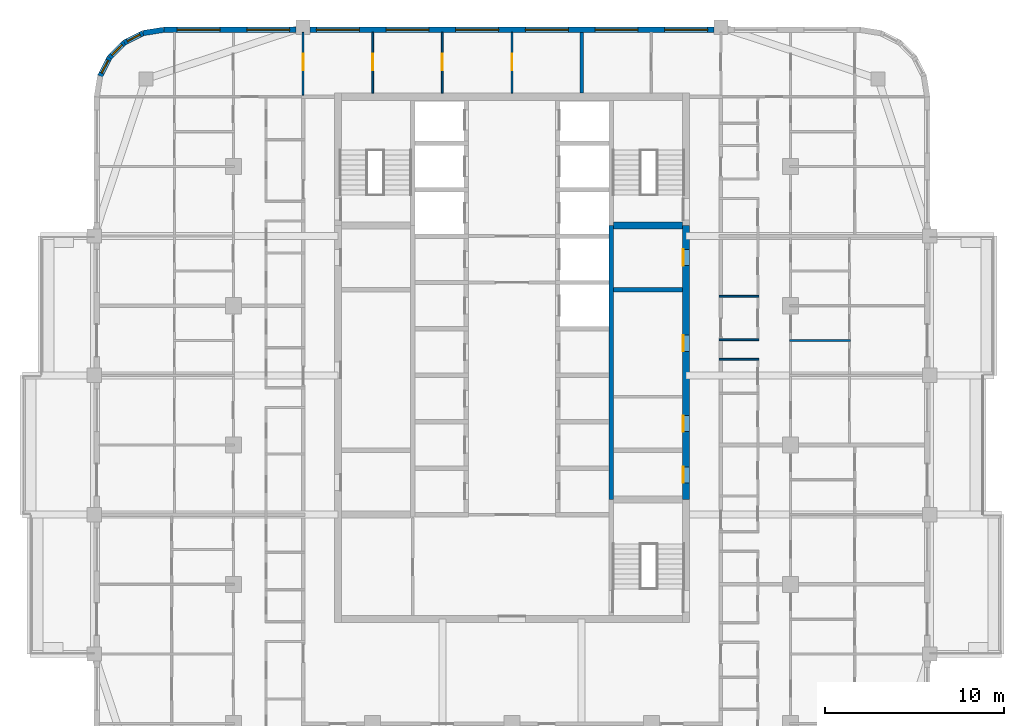
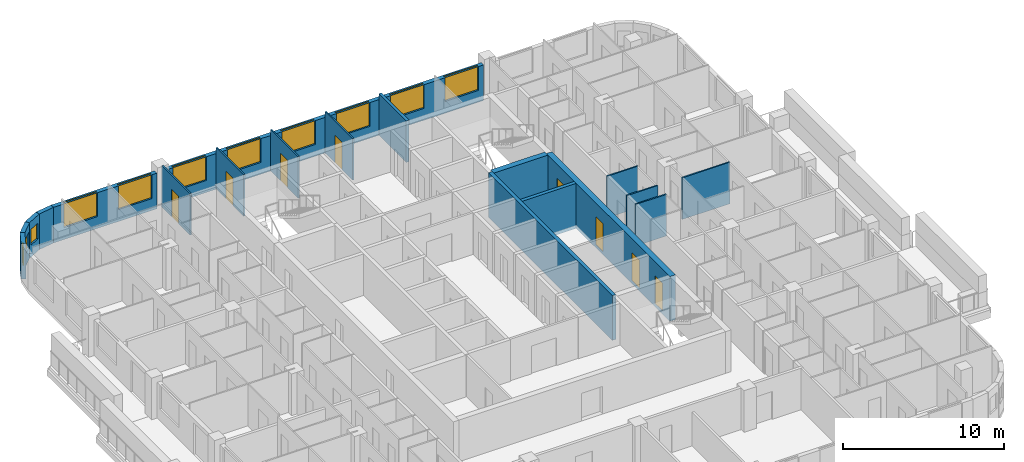
# One storey, part 10 of 16: 19 walls, 11 windows, 8 doors, 19 openings.
"""IFC4 building model written with IfcOpenShell, lengths in metres."""

from ifc_helpers import new_model, si_unit, direction, frame, frame_2d, origin, place, context, subcontext, project, spatial, rectangle, extrude, material, layer, layer_set, type_object, element, fill, save


model = new_model("IFC4")

# Units and contexts
model_context = context("Model", 3, precision=1e-05, world=origin(), true_north=direction((0.0, 1.0)))
body_context = subcontext(model_context, "Body", "Model", "MODEL_VIEW")
ifc_project = project(units=[si_unit("LENGTHUNIT", "METRE"), si_unit("AREAUNIT", "SQUARE_METRE"), si_unit("VOLUMEUNIT", "CUBIC_METRE"), si_unit("PLANEANGLEUNIT", "RADIAN"), si_unit("MASSUNIT", "GRAM", prefix="KILO")], contexts=[model_context])

# Site, building, storey
site_placement = place(None, origin())
site = spatial("IfcSite", under=ifc_project, at=site_placement, CompositionType="ELEMENT")
building_placement = place(site_placement, origin())
building = spatial("IfcBuilding", under=site, at=building_placement, Name="Ludao Terraces", CompositionType="ELEMENT")
storey_placement = place(building_placement, frame((0.0, 0.0, 214.300048828125)))
storey = spatial("IfcBuildingStorey", under=building, at=storey_placement, Name="L58", CompositionType="ELEMENT", Elevation=214.300048828125)

# Wall, openings, doors
ifc_material_1 = material(Name="Concrete C50", Category="concrete")
ifc_layer_1 = layer(ifc_material_1, 0.39990234375)
ifc_layer_set_1 = layer_set([ifc_layer_1], Name="Core wall 400 C50")
wall_type_1 = type_object("IfcWallType", Name="Core wall 400 C50", PredefinedType="SOLIDWALL", material=ifc_layer_set_1)
wall_1_placement = place(storey_placement, frame((94.75, 61.949951171875, -0.25), z_axis=(0.0, 0.0, 1.0), x_axis=(0.0, 1.0, 0.0)))
wall_1 = element("IfcWall", 1, at=wall_1_placement, inside=storey, type_object=wall_type_1, Name="Core wall L58 outer-E", PredefinedType="SOLIDWALL", context=body_context, shape_type="SweptSolid", body=[
    extrude(rectangle(XDim=15.35009765625, YDim=0.39990234375, at=frame_2d((7.675048828125, 0.0))), origin(), (0.0, 0.0, 1.0), 3.39990234375),
])
opening_1_placement = place(wall_1_placement, frame((0.925048828125, 0.0, 0.25)))
opening_1 = element("IfcOpeningElement", 2, at=opening_1_placement, cuts=wall_1, Name="Opening R21-059", PredefinedType="OPENING", context=body_context, shape_type="SweptSolid", body=[
    extrude(rectangle(XDim=0.89990234375, YDim=2.10009765625, at=frame_2d((0.449951171875, 1.050048828125))), frame((0.0, 0.2099609375, 0.0), z_axis=(0.0, -1.0, 0.0), x_axis=(1.0, 0.0, 0.0)), (0.0, 0.0, 1.0), 0.419921875),
])
opening_2_placement = place(wall_1_placement, frame((3.800048828125, 0.0, 0.25)))
opening_2 = element("IfcOpeningElement", 3, at=opening_2_placement, cuts=wall_1, Name="Opening R21-066", PredefinedType="OPENING", context=body_context, shape_type="SweptSolid", body=[
    extrude(rectangle(XDim=0.89990234375, YDim=2.10009765625, at=frame_2d((0.449951171875, 1.050048828125))), frame((0.0, 0.2099609375, 0.0), z_axis=(0.0, -1.0, 0.0), x_axis=(1.0, 0.0, 0.0)), (0.0, 0.0, 1.0), 0.419921875),
])
opening_3_placement = place(wall_1_placement, frame((8.300048828125, 0.0, 0.25)))
opening_3 = element("IfcOpeningElement", 4, at=opening_3_placement, cuts=wall_1, Name="Opening R21-082", PredefinedType="OPENING", context=body_context, shape_type="SweptSolid", body=[
    extrude(rectangle(XDim=0.89990234375, YDim=2.10009765625, at=frame_2d((0.449951171875, 1.050048828125))), frame((0.0, 0.2099609375, 0.0), z_axis=(0.0, -1.0, 0.0), x_axis=(1.0, 0.0, 0.0)), (0.0, 0.0, 1.0), 0.419921875),
])
opening_4_placement = place(wall_1_placement, frame((13.10009765625, 0.0, 0.25)))
opening_4 = element("IfcOpeningElement", 5, at=opening_4_placement, cuts=wall_1, Name="Opening R21-100", PredefinedType="OPENING", context=body_context, shape_type="SweptSolid", body=[
    extrude(rectangle(XDim=0.89990234375, YDim=2.10009765625, at=frame_2d((0.449951171875, 1.050048828125))), frame((0.0, 0.2099609375, 0.0), z_axis=(0.0, -1.0, 0.0), x_axis=(1.0, 0.0, 0.0)), (0.0, 0.0, 1.0), 0.419921875),
])
ifc_material_2 = material(Name="Steel Q235", Category="steel")
door_type_1 = type_object("IfcDoorType", Name="INT Riser door 900", OperationType="SINGLE_SWING_LEFT", PredefinedType="DOOR", material=ifc_material_2)
door_1_placement = place(opening_1_placement, origin())
door_1 = element("IfcDoor", 6, at=door_1_placement, inside=storey, type_object=door_type_1, Name="DOOR 059", OperationType="SINGLE_SWING_LEFT", OverallHeight=2.10009765625, OverallWidth=0.89990234375, PredefinedType="DOOR", context=body_context, shape_type="SweptSolid", body=[
    extrude(rectangle(XDim=0.89990234375, YDim=2.10009765625, at=frame_2d((0.449951171875, 1.050048828125))), frame((0.0, 0.18505859375, 0.0), z_axis=(0.0, -1.0, 0.0), x_axis=(1.0, 0.0, 0.0)), (0.0, 0.0, 1.0), 0.050048828125),
])
fill(opening_1, door_1)
door_2_placement = place(opening_4_placement, origin())
door_2 = element("IfcDoor", 7, at=door_2_placement, inside=storey, type_object=door_type_1, Name="DOOR 100", OperationType="SINGLE_SWING_RIGHT", OverallHeight=2.10009765625, OverallWidth=0.89990234375, PredefinedType="DOOR", context=body_context, shape_type="SweptSolid", body=[
    extrude(rectangle(XDim=0.89990234375, YDim=2.10009765625, at=frame_2d((0.449951171875, 1.050048828125))), frame((0.0, 0.18505859375, 0.0), z_axis=(0.0, -1.0, 0.0), x_axis=(1.0, 0.0, 0.0)), (0.0, 0.0, 1.0), 0.050048828125),
])
fill(opening_4, door_2)
ifc_material_3 = material(Name="Timber door leaf", Category="wood")
door_type_2 = type_object("IfcDoorType", Name="INT Room door 900", OperationType="SINGLE_SWING_LEFT", PredefinedType="DOOR", material=ifc_material_3)
door_3_placement = place(opening_2_placement, origin())
door_3 = element("IfcDoor", 8, at=door_3_placement, inside=storey, type_object=door_type_2, Name="DOOR 066", OperationType="SINGLE_SWING_LEFT", OverallHeight=2.10009765625, OverallWidth=0.89990234375, PredefinedType="DOOR", context=body_context, shape_type="SweptSolid", body=[
    extrude(rectangle(XDim=0.89990234375, YDim=2.10009765625, at=frame_2d((0.449951171875, 1.050048828125))), frame((0.0, 0.18505859375, 0.0), z_axis=(0.0, -1.0, 0.0), x_axis=(1.0, 0.0, 0.0)), (0.0, 0.0, 1.0), 0.050048828125),
])
fill(opening_2, door_3)
door_4_placement = place(opening_3_placement, origin())
door_4 = element("IfcDoor", 9, at=door_4_placement, inside=storey, type_object=door_type_2, Name="DOOR 082", OperationType="SINGLE_SWING_RIGHT", OverallHeight=2.10009765625, OverallWidth=0.89990234375, PredefinedType="DOOR", context=body_context, shape_type="SweptSolid", body=[
    extrude(rectangle(XDim=0.89990234375, YDim=2.10009765625, at=frame_2d((0.449951171875, 1.050048828125))), frame((0.0, 0.18505859375, 0.0), z_axis=(0.0, -1.0, 0.0), x_axis=(1.0, 0.0, 0.0)), (0.0, 0.0, 1.0), 0.050048828125),
])
fill(opening_3, door_4)

# Wall, openings, windows
ifc_material_4 = material(Name="Granite cladding", Category="masonry")
ifc_layer_2 = layer(ifc_material_4, 0.0400390625, Category="stone")
ifc_material_5 = material(Name="Mineral wool")
ifc_layer_3 = layer(ifc_material_5, 0.06005859375)
ifc_material_6 = material(Name="Concrete C40", Category="concrete")
ifc_layer_4 = layer(ifc_material_6, 0.199951171875, Category="concrete")
ifc_layer_set_2 = layer_set([ifc_layer_2, ifc_layer_3, ifc_layer_4], Name="ENV Stone-clad wall 300")
wall_type_2 = type_object("IfcWallType", Name="ENV Stone-clad wall 300", PredefinedType="SOLIDWALL", material=ifc_layer_set_2)
wall_2_placement = place(storey_placement, frame((65.5, 88.25, 0.0), z_axis=(0.0, 0.0, 1.0), x_axis=(1.0, 0.0, 0.0)))
wall_2 = element("IfcWall", 10, at=wall_2_placement, inside=storey, type_object=wall_type_2, Name="EW-L58-N1", PredefinedType="SOLIDWALL", context=body_context, shape_type="SweptSolid", body=[
    extrude(rectangle(XDim=7.39990234375, YDim=0.300048828125, at=frame_2d((3.699951171875, 0.0))), origin(), (0.0, 0.0, 1.0), 2.699951171875),
])
opening_5_placement = place(wall_2_placement, frame((0.75, 0.0, 0.89990234375)))
opening_5 = element("IfcOpeningElement", 11, at=opening_5_placement, cuts=wall_2, Name="Opening W1", PredefinedType="OPENING", context=body_context, shape_type="SweptSolid", body=[
    extrude(rectangle(XDim=2.39990234375, YDim=1.800048828125, at=frame_2d((1.199951171875, 0.89990234375))), frame((0.0, 0.16015625, 0.0), z_axis=(0.0, -1.0, 0.0), x_axis=(1.0, 0.0, 0.0)), (0.0, 0.0, 1.0), 0.320068359375),
])
opening_6_placement = place(wall_2_placement, frame((4.64990234375, 0.0, 0.89990234375)))
opening_6 = element("IfcOpeningElement", 12, at=opening_6_placement, cuts=wall_2, Name="Opening W1", PredefinedType="OPENING", context=body_context, shape_type="SweptSolid", body=[
    extrude(rectangle(XDim=2.39990234375, YDim=1.800048828125, at=frame_2d((1.199951171875, 0.89990234375))), frame((0.0, 0.16015625, 0.0), z_axis=(0.0, -1.0, 0.0), x_axis=(1.0, 0.0, 0.0)), (0.0, 0.0, 1.0), 0.320068359375),
])
ifc_material_7 = material(Name="Clear glass in aluminium frame", Category="aluminium")
ifc_layer_5 = layer(ifc_material_7, 0.06005859375)
ifc_layer_set_3 = layer_set([ifc_layer_5], Name="ENV Window W1 2400x1800")
window_type_1 = type_object("IfcWindowType", Name="ENV Window W1 2400x1800", PartitioningType="DOUBLE_PANEL_VERTICAL", PredefinedType="WINDOW", material=ifc_layer_set_3)
window_1_placement = place(opening_5_placement, origin())
window_1 = element("IfcWindow", 13, at=window_1_placement, inside=storey, type_object=window_type_1, Name="W-L58-N1-1", OverallHeight=1.800048828125, OverallWidth=2.39990234375, PartitioningType="DOUBLE_PANEL_VERTICAL", PredefinedType="WINDOW", context=body_context, shape_type="SweptSolid", body=[
    extrude(rectangle(XDim=2.39990234375, YDim=1.800048828125, at=frame_2d((1.199951171875, 0.89990234375))), frame((0.0, 0.030029296875, 0.0), z_axis=(0.0, -1.0, 0.0), x_axis=(1.0, 0.0, 0.0)), (0.0, 0.0, 1.0), 0.06005859375),
])
fill(opening_5, window_1)
window_2_placement = place(opening_6_placement, origin())
window_2 = element("IfcWindow", 14, at=window_2_placement, inside=storey, type_object=window_type_1, Name="W-L58-N1-2", OverallHeight=1.800048828125, OverallWidth=2.39990234375, PartitioningType="DOUBLE_PANEL_VERTICAL", PredefinedType="WINDOW", context=body_context, shape_type="SweptSolid", body=[
    extrude(rectangle(XDim=2.39990234375, YDim=1.800048828125, at=frame_2d((1.199951171875, 0.89990234375))), frame((0.0, 0.030029296875, 0.0), z_axis=(0.0, -1.0, 0.0), x_axis=(1.0, 0.0, 0.0)), (0.0, 0.0, 1.0), 0.06005859375),
])
fill(opening_6, window_2)

wall_3_placement = place(storey_placement, frame((73.699951171875, 88.25, 0.0), z_axis=(0.0, 0.0, 1.0), x_axis=(1.0, 0.0, 0.0)))
wall_3 = element("IfcWall", 15, at=wall_3_placement, inside=storey, type_object=wall_type_2, Name="EW-L58-N2", PredefinedType="SOLIDWALL", context=body_context, shape_type="SweptSolid", body=[
    extrude(rectangle(XDim=22.60009765625, YDim=0.300048828125, at=frame_2d((11.300048828125, 0.0))), origin(), (0.0, 0.0, 1.0), 2.699951171875),
])
opening_7_placement = place(wall_3_placement, frame((0.35009765625, 0.0, 0.89990234375)))
opening_7 = element("IfcOpeningElement", 16, at=opening_7_placement, cuts=wall_3, Name="Opening W1", PredefinedType="OPENING", context=body_context, shape_type="SweptSolid", body=[
    extrude(rectangle(XDim=2.39990234375, YDim=1.800048828125, at=frame_2d((1.199951171875, 0.89990234375))), frame((0.0, 0.16015625, 0.0), z_axis=(0.0, -1.0, 0.0), x_axis=(1.0, 0.0, 0.0)), (0.0, 0.0, 1.0), 0.320068359375),
])
opening_8_placement = place(wall_3_placement, frame((4.25, 0.0, 0.89990234375)))
opening_8 = element("IfcOpeningElement", 17, at=opening_8_placement, cuts=wall_3, Name="Opening W1", PredefinedType="OPENING", context=body_context, shape_type="SweptSolid", body=[
    extrude(rectangle(XDim=2.39990234375, YDim=1.800048828125, at=frame_2d((1.199951171875, 0.89990234375))), frame((0.0, 0.16015625, 0.0), z_axis=(0.0, -1.0, 0.0), x_axis=(1.0, 0.0, 0.0)), (0.0, 0.0, 1.0), 0.320068359375),
])
opening_9_placement = place(wall_3_placement, frame((8.14990234375, 0.0, 0.89990234375)))
opening_9 = element("IfcOpeningElement", 18, at=opening_9_placement, cuts=wall_3, Name="Opening W1", PredefinedType="OPENING", context=body_context, shape_type="SweptSolid", body=[
    extrude(rectangle(XDim=2.39990234375, YDim=1.800048828125, at=frame_2d((1.199951171875, 0.89990234375))), frame((0.0, 0.16015625, 0.0), z_axis=(0.0, -1.0, 0.0), x_axis=(1.0, 0.0, 0.0)), (0.0, 0.0, 1.0), 0.320068359375),
])
opening_10_placement = place(wall_3_placement, frame((12.050048828125, 0.0, 0.89990234375)))
opening_10 = element("IfcOpeningElement", 19, at=opening_10_placement, cuts=wall_3, Name="Opening W1", PredefinedType="OPENING", context=body_context, shape_type="SweptSolid", body=[
    extrude(rectangle(XDim=2.39990234375, YDim=1.800048828125, at=frame_2d((1.199951171875, 0.89990234375))), frame((0.0, 0.16015625, 0.0), z_axis=(0.0, -1.0, 0.0), x_axis=(1.0, 0.0, 0.0)), (0.0, 0.0, 1.0), 0.320068359375),
])
opening_11_placement = place(wall_3_placement, frame((15.949951171875, 0.0, 0.89990234375)))
opening_11 = element("IfcOpeningElement", 20, at=opening_11_placement, cuts=wall_3, Name="Opening W1", PredefinedType="OPENING", context=body_context, shape_type="SweptSolid", body=[
    extrude(rectangle(XDim=2.39990234375, YDim=1.800048828125, at=frame_2d((1.199951171875, 0.89990234375))), frame((0.0, 0.16015625, 0.0), z_axis=(0.0, -1.0, 0.0), x_axis=(1.0, 0.0, 0.0)), (0.0, 0.0, 1.0), 0.320068359375),
])
opening_12_placement = place(wall_3_placement, frame((19.85009765625, 0.0, 0.89990234375)))
opening_12 = element("IfcOpeningElement", 21, at=opening_12_placement, cuts=wall_3, Name="Opening W1", PredefinedType="OPENING", context=body_context, shape_type="SweptSolid", body=[
    extrude(rectangle(XDim=2.39990234375, YDim=1.800048828125, at=frame_2d((1.199951171875, 0.89990234375))), frame((0.0, 0.16015625, 0.0), z_axis=(0.0, -1.0, 0.0), x_axis=(1.0, 0.0, 0.0)), (0.0, 0.0, 1.0), 0.320068359375),
])
window_3_placement = place(opening_7_placement, origin())
window_3 = element("IfcWindow", 22, at=window_3_placement, inside=storey, type_object=window_type_1, Name="W-L58-N2-1", OverallHeight=1.800048828125, OverallWidth=2.39990234375, PartitioningType="DOUBLE_PANEL_VERTICAL", PredefinedType="WINDOW", context=body_context, shape_type="SweptSolid", body=[
    extrude(rectangle(XDim=2.39990234375, YDim=1.800048828125, at=frame_2d((1.199951171875, 0.89990234375))), frame((0.0, 0.030029296875, 0.0), z_axis=(0.0, -1.0, 0.0), x_axis=(1.0, 0.0, 0.0)), (0.0, 0.0, 1.0), 0.06005859375),
])
fill(opening_7, window_3)
window_4_placement = place(opening_8_placement, origin())
window_4 = element("IfcWindow", 23, at=window_4_placement, inside=storey, type_object=window_type_1, Name="W-L58-N2-2", OverallHeight=1.800048828125, OverallWidth=2.39990234375, PartitioningType="DOUBLE_PANEL_VERTICAL", PredefinedType="WINDOW", context=body_context, shape_type="SweptSolid", body=[
    extrude(rectangle(XDim=2.39990234375, YDim=1.800048828125, at=frame_2d((1.199951171875, 0.89990234375))), frame((0.0, 0.030029296875, 0.0), z_axis=(0.0, -1.0, 0.0), x_axis=(1.0, 0.0, 0.0)), (0.0, 0.0, 1.0), 0.06005859375),
])
fill(opening_8, window_4)
window_5_placement = place(opening_9_placement, origin())
window_5 = element("IfcWindow", 24, at=window_5_placement, inside=storey, type_object=window_type_1, Name="W-L58-N2-3", OverallHeight=1.800048828125, OverallWidth=2.39990234375, PartitioningType="DOUBLE_PANEL_VERTICAL", PredefinedType="WINDOW", context=body_context, shape_type="SweptSolid", body=[
    extrude(rectangle(XDim=2.39990234375, YDim=1.800048828125, at=frame_2d((1.199951171875, 0.89990234375))), frame((0.0, 0.030029296875, 0.0), z_axis=(0.0, -1.0, 0.0), x_axis=(1.0, 0.0, 0.0)), (0.0, 0.0, 1.0), 0.06005859375),
])
fill(opening_9, window_5)
window_6_placement = place(opening_10_placement, origin())
window_6 = element("IfcWindow", 25, at=window_6_placement, inside=storey, type_object=window_type_1, Name="W-L58-N2-4", OverallHeight=1.800048828125, OverallWidth=2.39990234375, PartitioningType="DOUBLE_PANEL_VERTICAL", PredefinedType="WINDOW", context=body_context, shape_type="SweptSolid", body=[
    extrude(rectangle(XDim=2.39990234375, YDim=1.800048828125, at=frame_2d((1.199951171875, 0.89990234375))), frame((0.0, 0.030029296875, 0.0), z_axis=(0.0, -1.0, 0.0), x_axis=(1.0, 0.0, 0.0)), (0.0, 0.0, 1.0), 0.06005859375),
])
fill(opening_10, window_6)
window_7_placement = place(opening_11_placement, origin())
window_7 = element("IfcWindow", 26, at=window_7_placement, inside=storey, type_object=window_type_1, Name="W-L58-N2-5", OverallHeight=1.800048828125, OverallWidth=2.39990234375, PartitioningType="DOUBLE_PANEL_VERTICAL", PredefinedType="WINDOW", context=body_context, shape_type="SweptSolid", body=[
    extrude(rectangle(XDim=2.39990234375, YDim=1.800048828125, at=frame_2d((1.199951171875, 0.89990234375))), frame((0.0, 0.030029296875, 0.0), z_axis=(0.0, -1.0, 0.0), x_axis=(1.0, 0.0, 0.0)), (0.0, 0.0, 1.0), 0.06005859375),
])
fill(opening_11, window_7)
window_8_placement = place(opening_12_placement, origin())
window_8 = element("IfcWindow", 27, at=window_8_placement, inside=storey, type_object=window_type_1, Name="W-L58-N2-6", OverallHeight=1.800048828125, OverallWidth=2.39990234375, PartitioningType="DOUBLE_PANEL_VERTICAL", PredefinedType="WINDOW", context=body_context, shape_type="SweptSolid", body=[
    extrude(rectangle(XDim=2.39990234375, YDim=1.800048828125, at=frame_2d((1.199951171875, 0.89990234375))), frame((0.0, 0.030029296875, 0.0), z_axis=(0.0, -1.0, 0.0), x_axis=(1.0, 0.0, 0.0)), (0.0, 0.0, 1.0), 0.06005859375),
])
fill(opening_12, window_8)

# Wall
wall_4_placement = place(storey_placement, frame((65.5, 88.25, 0.0), z_axis=(0.0, 0.0, 1.0), x_axis=(-0.987678452879, -0.156496880861, 0.0)))
element("IfcWall", 28, at=wall_4_placement, inside=storey, type_object=wall_type_2, Name="EW-L58-NW1", PredefinedType="SOLIDWALL", context=body_context, shape_type="SweptSolid", body=[
    extrude(rectangle(XDim=1.173095703125, YDim=0.300048828125, at=frame_2d((0.58642578125, 0.0))), origin(), (0.0, 0.0, 1.0), 2.699951171875),
])

# Wall, opening, window
wall_5_placement = place(storey_placement, frame((64.34130859375, 88.06640625, 0.0), z_axis=(0.0, 0.0, 1.0), x_axis=(-0.890988677504, -0.454025524128, 0.0)))
wall_5 = element("IfcWall", 29, at=wall_5_placement, inside=storey, type_object=wall_type_2, Name="EW-L58-NW2", PredefinedType="SOLIDWALL", context=body_context, shape_type="SweptSolid", body=[
    extrude(rectangle(XDim=1.17333984375, YDim=0.300048828125, at=frame_2d((0.586669921875, 0.0))), origin(), (0.0, 0.0, 1.0), 2.699951171875),
])
opening_13_placement = place(wall_5_placement, frame((0.1865234375, 0.0, 0.89990234375)))
opening_13 = element("IfcOpeningElement", 30, at=opening_13_placement, cuts=wall_5, Name="Opening W3", PredefinedType="OPENING", context=body_context, shape_type="SweptSolid", body=[
    extrude(rectangle(XDim=0.800048828125, YDim=1.199951171875, at=frame_2d((0.39990234375, 0.60009765625))), frame((0.0, 0.16015625, 0.0), z_axis=(0.0, -1.0, 0.0), x_axis=(1.0, 0.0, 0.0)), (0.0, 0.0, 1.0), 0.320068359375),
])
ifc_layer_6 = layer(ifc_material_7, 0.06005859375)
ifc_layer_set_4 = layer_set([ifc_layer_6], Name="ENV Window W3 800x1200")
window_type_2 = type_object("IfcWindowType", Name="ENV Window W3 800x1200", PartitioningType="SINGLE_PANEL", PredefinedType="WINDOW", material=ifc_layer_set_4)
window_9_placement = place(opening_13_placement, origin())
window_9 = element("IfcWindow", 31, at=window_9_placement, inside=storey, type_object=window_type_2, Name="W-L58-NW2", OverallHeight=1.199951171875, OverallWidth=0.800048828125, PartitioningType="SINGLE_PANEL", PredefinedType="WINDOW", context=body_context, shape_type="SweptSolid", body=[
    extrude(rectangle(XDim=0.800048828125, YDim=1.199951171875, at=frame_2d((0.39990234375, 0.60009765625))), frame((0.0, 0.030029296875, 0.0), z_axis=(0.0, -1.0, 0.0), x_axis=(1.0, 0.0, 0.0)), (0.0, 0.0, 1.0), 0.06005859375),
])
fill(opening_13, window_9)

wall_6_placement = place(storey_placement, frame((63.2958984375, 87.53369140625, 0.0), z_axis=(0.0, 0.0, 1.0), x_axis=(-0.707106781187, -0.707106781187, 0.0)))
wall_6 = element("IfcWall", 32, at=wall_6_placement, inside=storey, type_object=wall_type_2, Name="EW-L58-NW3", PredefinedType="SOLIDWALL", context=body_context, shape_type="SweptSolid", body=[
    extrude(rectangle(XDim=1.173095703125, YDim=0.300048828125, at=frame_2d((0.58642578125, 0.0))), origin(), (0.0, 0.0, 1.0), 2.699951171875),
])
opening_14_placement = place(wall_6_placement, frame((0.1865234375, 0.0, 0.89990234375)))
opening_14 = element("IfcOpeningElement", 33, at=opening_14_placement, cuts=wall_6, Name="Opening W3", PredefinedType="OPENING", context=body_context, shape_type="SweptSolid", body=[
    extrude(rectangle(XDim=0.800048828125, YDim=1.199951171875, at=frame_2d((0.39990234375, 0.60009765625))), frame((0.0, 0.16015625, 0.0), z_axis=(0.0, -1.0, 0.0), x_axis=(1.0, 0.0, 0.0)), (0.0, 0.0, 1.0), 0.320068359375),
])
window_10_placement = place(opening_14_placement, origin())
window_10 = element("IfcWindow", 34, at=window_10_placement, inside=storey, type_object=window_type_2, Name="W-L58-NW3", OverallHeight=1.199951171875, OverallWidth=0.800048828125, PartitioningType="SINGLE_PANEL", PredefinedType="WINDOW", context=body_context, shape_type="SweptSolid", body=[
    extrude(rectangle(XDim=0.800048828125, YDim=1.199951171875, at=frame_2d((0.39990234375, 0.60009765625))), frame((0.0, 0.030029296875, 0.0), z_axis=(0.0, -1.0, 0.0), x_axis=(1.0, 0.0, 0.0)), (0.0, 0.0, 1.0), 0.06005859375),
])
fill(opening_14, window_10)

wall_7_placement = place(storey_placement, frame((62.46630859375, 86.7041015625, 0.0), z_axis=(0.0, 0.0, 1.0), x_axis=(-0.454025524128, -0.890988677504, 0.0)))
wall_7 = element("IfcWall", 35, at=wall_7_placement, inside=storey, type_object=wall_type_2, Name="EW-L58-NW4", PredefinedType="SOLIDWALL", context=body_context, shape_type="SweptSolid", body=[
    extrude(rectangle(XDim=1.17333984375, YDim=0.300048828125, at=frame_2d((0.586669921875, 0.0))), origin(), (0.0, 0.0, 1.0), 2.699951171875),
])
opening_15_placement = place(wall_7_placement, frame((0.1865234375, 0.0, 0.89990234375)))
opening_15 = element("IfcOpeningElement", 36, at=opening_15_placement, cuts=wall_7, Name="Opening W3", PredefinedType="OPENING", context=body_context, shape_type="SweptSolid", body=[
    extrude(rectangle(XDim=0.800048828125, YDim=1.199951171875, at=frame_2d((0.39990234375, 0.60009765625))), frame((0.0, 0.16015625, 0.0), z_axis=(0.0, -1.0, 0.0), x_axis=(1.0, 0.0, 0.0)), (0.0, 0.0, 1.0), 0.320068359375),
])
window_11_placement = place(opening_15_placement, origin())
window_11 = element("IfcWindow", 37, at=window_11_placement, inside=storey, type_object=window_type_2, Name="W-L58-NW4", OverallHeight=1.199951171875, OverallWidth=0.800048828125, PartitioningType="SINGLE_PANEL", PredefinedType="WINDOW", context=body_context, shape_type="SweptSolid", body=[
    extrude(rectangle(XDim=0.800048828125, YDim=1.199951171875, at=frame_2d((0.39990234375, 0.60009765625))), frame((0.0, 0.030029296875, 0.0), z_axis=(0.0, -1.0, 0.0), x_axis=(1.0, 0.0, 0.0)), (0.0, 0.0, 1.0), 0.06005859375),
])
fill(opening_15, window_11)

# Walls
ifc_material_8 = material(Name="Gypsum plasterboard", Category="gypsum")
ifc_layer_7 = layer(ifc_material_8, 0.012451171875, Category="gypsum")
ifc_layer_8 = layer(ifc_material_5, 0.06005859375, Name="insulation")
ifc_layer_9 = layer(ifc_material_2, 0.014892578125, Name="stud")
ifc_layer_10 = layer(ifc_material_8, 0.012451171875, Category="gypsum")
ifc_layer_set_5 = layer_set([ifc_layer_7, ifc_layer_8, ifc_layer_9, ifc_layer_10], Name="INT Partition 100")
wall_type_3 = type_object("IfcWallType", Name="INT Partition 100", PredefinedType="PARTITIONING", material=ifc_layer_set_5)
wall_8_placement = place(storey_placement, frame((96.60009765625, 69.800048828125, 0.0), z_axis=(0.0, 0.0, 1.0), x_axis=(1.0, 0.0, 0.0)))
element("IfcWall", 38, at=wall_8_placement, inside=storey, type_object=wall_type_3, Name="PW-L58-PW040", PredefinedType="PARTITIONING", context=body_context, shape_type="SweptSolid", body=[
    extrude(rectangle(XDim=2.219970703125, YDim=0.10009765625, at=frame_2d((1.10986328125, 0.0))), origin(), (0.0, 0.0, 1.0), 3.14990234375),
])
wall_9_placement = place(storey_placement, frame((100.550048828125, 70.85009765625, 0.0), z_axis=(0.0, 0.0, 1.0), x_axis=(1.0, 0.0, 0.0)))
element("IfcWall", 39, at=wall_9_placement, inside=storey, type_object=wall_type_3, Name="PW-L58-PW043", PredefinedType="PARTITIONING", context=body_context, shape_type="SweptSolid", body=[
    extrude(rectangle(XDim=3.400146484375, YDim=0.10009765625, at=frame_2d((1.7001953125, 0.0))), origin(), (0.0, 0.0, 1.0), 3.14990234375),
])
for number, where, z_axis, x_axis, name in (
    (40, (96.60009765625, 70.89990234375, 0.0), (0.0, 0.0, 1.0), (1.0, 0.0, 0.0), "PW-L58-PW044"),
    (41, (96.60009765625, 73.330078125, 0.0), (0.0, 0.0, 1.0), (1.0, 0.0, 0.0), "PW-L58-PW047"),
):
    element("IfcWall", number, at=place(storey_placement, frame(where, z_axis=z_axis, x_axis=x_axis)), inside=storey, type_object=wall_type_3, Name=name, PredefinedType="PARTITIONING", context=body_context, shape_type="SweptSolid", body=[
        extrude(rectangle(XDim=2.219970703125, YDim=0.10009765625, at=frame_2d((1.10986328125, 0.0))), origin(), (0.0, 0.0, 1.0), 3.14990234375),
    ])

# Wall, opening, door
wall_10_placement = place(storey_placement, frame((73.300048828125, 84.60009765625, 0.0), z_axis=(0.0, 0.0, 1.0), x_axis=(0.0, 1.0, 0.0)))
wall_10 = element("IfcWall", 42, at=wall_10_placement, inside=storey, type_object=wall_type_3, Name="PW-L58-PW079", PredefinedType="PARTITIONING", context=body_context, shape_type="SweptSolid", body=[
    extrude(rectangle(XDim=3.5, YDim=0.10009765625, at=frame_2d((1.75, 0.0))), origin(), (0.0, 0.0, 1.0), 3.14990234375),
])
opening_16_placement = place(wall_10_placement, frame((1.39990234375, 0.0, 0.0)))
opening_16 = element("IfcOpeningElement", 43, at=opening_16_placement, cuts=wall_10, Name="Opening R21-137", PredefinedType="OPENING", context=body_context, shape_type="SweptSolid", body=[
    extrude(rectangle(XDim=0.89990234375, YDim=2.10009765625, at=frame_2d((0.449951171875, 1.050048828125))), frame((0.0, 0.06005859375, 0.0), z_axis=(0.0, -1.0, 0.0), x_axis=(1.0, 0.0, 0.0)), (0.0, 0.0, 1.0), 0.1201171875),
])
door_5_placement = place(opening_16_placement, origin())
door_5 = element("IfcDoor", 44, at=door_5_placement, inside=storey, type_object=door_type_2, Name="DOOR 137", OperationType="SINGLE_SWING_LEFT", OverallHeight=2.10009765625, OverallWidth=0.89990234375, PredefinedType="DOOR", context=body_context, shape_type="SweptSolid", body=[
    extrude(rectangle(XDim=0.89990234375, YDim=2.10009765625, at=frame_2d((0.449951171875, 1.050048828125))), frame((0.0, 0.02490234375, 0.0), z_axis=(0.0, -1.0, 0.0), x_axis=(1.0, 0.0, 0.0)), (0.0, 0.0, 1.0), 0.050048828125),
])
fill(opening_16, door_5)

wall_11_placement = place(storey_placement, frame((77.199951171875, 84.7001953125, 0.0), z_axis=(0.0, 0.0, 1.0), x_axis=(0.0, 1.0, 0.0)))
wall_11 = element("IfcWall", 45, at=wall_11_placement, inside=storey, type_object=wall_type_3, Name="PW-L58-PW081", PredefinedType="PARTITIONING", context=body_context, shape_type="SweptSolid", body=[
    extrude(rectangle(XDim=3.39990234375, YDim=0.10009765625, at=frame_2d((1.699951171875, 0.0))), origin(), (0.0, 0.0, 1.0), 3.14990234375),
])
opening_17_placement = place(wall_11_placement, frame((1.2998046875, 0.0, 0.0)))
opening_17 = element("IfcOpeningElement", 46, at=opening_17_placement, cuts=wall_11, Name="Opening R21-138", PredefinedType="OPENING", context=body_context, shape_type="SweptSolid", body=[
    extrude(rectangle(XDim=0.89990234375, YDim=2.10009765625, at=frame_2d((0.449951171875, 1.050048828125))), frame((0.0, 0.06005859375, 0.0), z_axis=(0.0, -1.0, 0.0), x_axis=(1.0, 0.0, 0.0)), (0.0, 0.0, 1.0), 0.1201171875),
])
door_6_placement = place(opening_17_placement, origin())
door_6 = element("IfcDoor", 47, at=door_6_placement, inside=storey, type_object=door_type_2, Name="DOOR 138", OperationType="SINGLE_SWING_LEFT", OverallHeight=2.10009765625, OverallWidth=0.89990234375, PredefinedType="DOOR", context=body_context, shape_type="SweptSolid", body=[
    extrude(rectangle(XDim=0.89990234375, YDim=2.10009765625, at=frame_2d((0.449951171875, 1.050048828125))), frame((0.0, 0.02490234375, 0.0), z_axis=(0.0, -1.0, 0.0), x_axis=(1.0, 0.0, 0.0)), (0.0, 0.0, 1.0), 0.050048828125),
])
fill(opening_17, door_6)

wall_12_placement = place(storey_placement, frame((81.10009765625, 84.7001953125, 0.0), z_axis=(0.0, 0.0, 1.0), x_axis=(0.0, 1.0, 0.0)))
wall_12 = element("IfcWall", 48, at=wall_12_placement, inside=storey, type_object=wall_type_3, Name="PW-L58-PW083", PredefinedType="PARTITIONING", context=body_context, shape_type="SweptSolid", body=[
    extrude(rectangle(XDim=3.39990234375, YDim=0.10009765625, at=frame_2d((1.699951171875, 0.0))), origin(), (0.0, 0.0, 1.0), 3.14990234375),
])
opening_18_placement = place(wall_12_placement, frame((1.2998046875, 0.0, 0.0)))
opening_18 = element("IfcOpeningElement", 49, at=opening_18_placement, cuts=wall_12, Name="Opening R21-139", PredefinedType="OPENING", context=body_context, shape_type="SweptSolid", body=[
    extrude(rectangle(XDim=0.89990234375, YDim=2.10009765625, at=frame_2d((0.449951171875, 1.050048828125))), frame((0.0, 0.06005859375, 0.0), z_axis=(0.0, -1.0, 0.0), x_axis=(1.0, 0.0, 0.0)), (0.0, 0.0, 1.0), 0.1201171875),
])
door_7_placement = place(opening_18_placement, origin())
door_7 = element("IfcDoor", 50, at=door_7_placement, inside=storey, type_object=door_type_2, Name="DOOR 139", OperationType="SINGLE_SWING_LEFT", OverallHeight=2.10009765625, OverallWidth=0.89990234375, PredefinedType="DOOR", context=body_context, shape_type="SweptSolid", body=[
    extrude(rectangle(XDim=0.89990234375, YDim=2.10009765625, at=frame_2d((0.449951171875, 1.050048828125))), frame((0.0, 0.02490234375, 0.0), z_axis=(0.0, -1.0, 0.0), x_axis=(1.0, 0.0, 0.0)), (0.0, 0.0, 1.0), 0.050048828125),
])
fill(opening_18, door_7)

wall_13_placement = place(storey_placement, frame((85.0, 84.7001953125, 0.0), z_axis=(0.0, 0.0, 1.0), x_axis=(0.0, 1.0, 0.0)))
wall_13 = element("IfcWall", 51, at=wall_13_placement, inside=storey, type_object=wall_type_3, Name="PW-L58-PW085", PredefinedType="PARTITIONING", context=body_context, shape_type="SweptSolid", body=[
    extrude(rectangle(XDim=3.39990234375, YDim=0.10009765625, at=frame_2d((1.699951171875, 0.0))), origin(), (0.0, 0.0, 1.0), 3.14990234375),
])
opening_19_placement = place(wall_13_placement, frame((1.2998046875, 0.0, 0.0)))
opening_19 = element("IfcOpeningElement", 52, at=opening_19_placement, cuts=wall_13, Name="Opening R21-140", PredefinedType="OPENING", context=body_context, shape_type="SweptSolid", body=[
    extrude(rectangle(XDim=0.89990234375, YDim=2.10009765625, at=frame_2d((0.449951171875, 1.050048828125))), frame((0.0, 0.06005859375, 0.0), z_axis=(0.0, -1.0, 0.0), x_axis=(1.0, 0.0, 0.0)), (0.0, 0.0, 1.0), 0.1201171875),
])
door_8_placement = place(opening_19_placement, origin())
door_8 = element("IfcDoor", 53, at=door_8_placement, inside=storey, type_object=door_type_2, Name="DOOR 140", OperationType="SINGLE_SWING_LEFT", OverallHeight=2.10009765625, OverallWidth=0.89990234375, PredefinedType="DOOR", context=body_context, shape_type="SweptSolid", body=[
    extrude(rectangle(XDim=0.89990234375, YDim=2.10009765625, at=frame_2d((0.449951171875, 1.050048828125))), frame((0.0, 0.02490234375, 0.0), z_axis=(0.0, -1.0, 0.0), x_axis=(1.0, 0.0, 0.0)), (0.0, 0.0, 1.0), 0.050048828125),
])
fill(opening_19, door_8)

# Walls
ifc_material_9 = material(Name="Autoclaved aerated concrete block B06 A3.5", Category="concrete")
ifc_layer_11 = layer(ifc_material_9, 0.199951171875)
ifc_layer_set_6 = layer_set([ifc_layer_11], Name="INT Party wall 200")
wall_type_4 = type_object("IfcWallType", Name="INT Party wall 200", PredefinedType="PARTITIONING", material=ifc_layer_set_6)
wall_14_placement = place(storey_placement, frame((88.89990234375, 84.7001953125, 0.0), z_axis=(0.0, 0.0, 1.0), x_axis=(0.0, 1.0, 0.0)))
element("IfcWall", 54, at=wall_14_placement, inside=storey, type_object=wall_type_4, Name="PW-L58-PW087", PredefinedType="PARTITIONING", context=body_context, shape_type="SweptSolid", body=[
    extrude(rectangle(XDim=3.39990234375, YDim=0.199951171875, at=frame_2d((1.699951171875, 0.0))), origin(), (0.0, 0.0, 1.0), 3.14990234375),
])
ifc_layer_12 = layer(ifc_material_1, 0.25)
ifc_layer_set_7 = layer_set([ifc_layer_12], Name="Shaft wall 250 C50")
wall_type_5 = type_object("IfcWallType", Name="Shaft wall 250 C50", PredefinedType="SOLIDWALL", material=ifc_layer_set_7)
wall_15_placement = place(storey_placement, frame((90.550048828125, 61.949951171875, -0.25), z_axis=(0.0, 0.0, 1.0), x_axis=(0.0, 1.0, 0.0)))
element("IfcWall", 55, at=wall_15_placement, inside=storey, type_object=wall_type_5, Name="Core wall L58 back-E", PredefinedType="SOLIDWALL", context=body_context, shape_type="SweptSolid", body=[
    extrude(rectangle(XDim=15.35009765625, YDim=0.25, at=frame_2d((7.675048828125, 0.0))), origin(), (0.0, 0.0, 1.0), 3.39990234375),
])
wall_16_placement = place(storey_placement, frame((90.675048828125, 73.699951171875, -0.25), z_axis=(0.0, 0.0, 1.0), x_axis=(1.0, 0.0, 0.0)))
element("IfcWall", 56, at=wall_16_placement, inside=storey, type_object=wall_type_5, Name="Core wall L58 riser-b-E", PredefinedType="SOLIDWALL", context=body_context, shape_type="SweptSolid", body=[
    extrude(rectangle(XDim=3.875, YDim=0.25, at=frame_2d((1.9375, 0.0))), origin(), (0.0, 0.0, 1.0), 3.39990234375),
])
ifc_layer_13 = layer(ifc_material_1, 0.39990234375)
ifc_layer_set_8 = layer_set([ifc_layer_13], Name="Shaft wall 400 C50")
wall_type_6 = type_object("IfcWallType", Name="Shaft wall 400 C50", PredefinedType="SOLIDWALL", material=ifc_layer_set_8)
wall_17_placement = place(storey_placement, frame((90.675048828125, 77.300048828125, -0.25), z_axis=(0.0, 0.0, 1.0), x_axis=(1.0, 0.0, 0.0)))
element("IfcWall", 57, at=wall_17_placement, inside=storey, type_object=wall_type_6, Name="Core wall L58 stair-E", PredefinedType="SOLIDWALL", context=body_context, shape_type="SweptSolid", body=[
    extrude(rectangle(XDim=3.875, YDim=0.39990234375, at=frame_2d((1.9375, 0.0))), origin(), (0.0, 0.0, 1.0), 3.39990234375),
])

save(model, "model.ifc")
